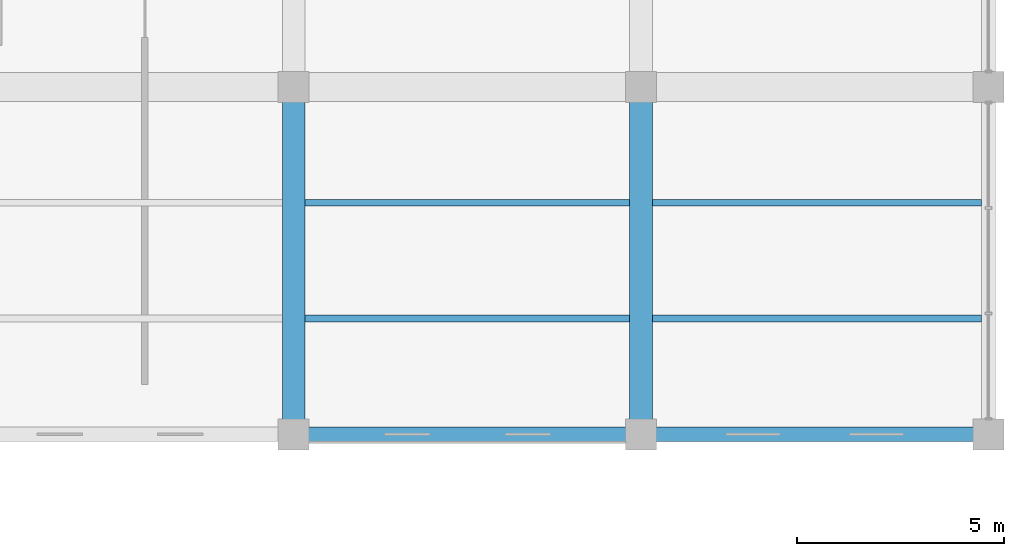
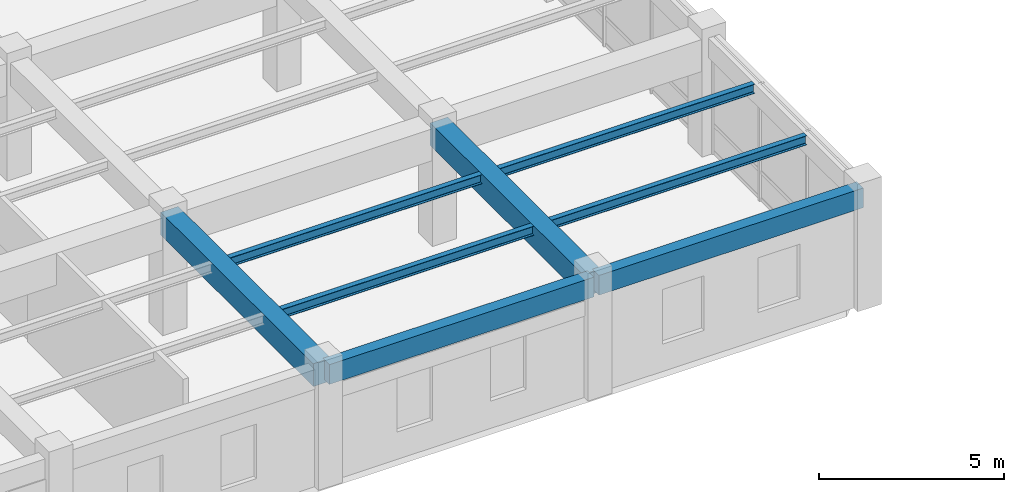
# One storey, part 92 of 152: 8 beams.
"""IFC4 building model written with IfcOpenShell, lengths in metres."""

import ifcopenshell
import ifcopenshell.guid

model = None  # the IFC model being written
_history = None  # IfcOwnerHistory: only IFC2X3 demands one
_inside = {}  # id of a spatial element -> (the spatial element, [elements in it])
_under = {}  # id of a project, library or spatial element -> (it, [spatial elements below it])
_declared = {}  # id of a project -> (the project, [libraries it declares])
_typed = {}  # id of a type object -> (the type object, [elements of that type])
_made_of = {}  # id of a material, layer set ... -> (it, [elements and type objects made of it])


def new_model(schema):
    """Start an empty IFC model of exactly this schema.

    Asked for "IFC4X3", IfcOpenShell would pick the latest addendum, in which some entities
    have other attributes; the version numbers below select the first issue.
    IFC2X3 requires an IfcOwnerHistory on every rooted entity: one is made here for all.
    """
    global model, _history
    if schema == "IFC4X3":
        model = ifcopenshell.file(schema_version=(4, 3, 0, 0))
    else:
        model = ifcopenshell.file(schema=schema)
    _inside.clear()
    _under.clear()
    _declared.clear()
    _typed.clear()
    _made_of.clear()
    _history = None
    if model.schema == "IFC2X3":
        org = make("IfcOrganization", Name="unknown")
        user = make(
            "IfcPersonAndOrganization",
            ThePerson=make("IfcPerson", FamilyName="unknown"),
            TheOrganization=org,
        )
        app = make(
            "IfcApplication",
            ApplicationDeveloper=org,
            Version="unknown",
            ApplicationFullName="unknown",
            ApplicationIdentifier="unknown",
        )
        _history = make(
            "IfcOwnerHistory",
            OwningUser=user,
            OwningApplication=app,
            ChangeAction="ADDED",
            CreationDate=0,
        )
    return model


def make(cls, **values):
    """One entity of the class cls with the attributes given. An attribute that is None is left unset."""
    return model.create_entity(
        cls, **{name: value for name, value in values.items() if value is not None}
    )


def rooted(cls, **values):
    """An entity with a GlobalId (a new one), such as an element, a storey or a relation."""
    return make(cls, GlobalId=ifcopenshell.guid.new(), OwnerHistory=_history, **values)


def si_unit(unit_type, name, prefix=None):
    """IfcSIUnit, for example si_unit("LENGTHUNIT", "METRE", prefix="MILLI")."""
    return make("IfcSIUnit", UnitType=unit_type, Prefix=prefix, Name=name)


def assignment(units):
    """IfcUnitAssignment: the units of a project."""
    return None if units is None else make("IfcUnitAssignment", Units=units)


def point(xyz):
    """IfcCartesianPoint."""
    return None if xyz is None else make("IfcCartesianPoint", Coordinates=xyz)


def direction(xyz):
    """IfcDirection."""
    return None if xyz is None else make("IfcDirection", DirectionRatios=xyz)


def frame(location, z_axis=None, x_axis=None):
    """IfcAxis2Placement3D, a coordinate frame: its origin and axes. An axis left out is left unset."""
    return make(
        "IfcAxis2Placement3D",
        Location=point(location),
        Axis=direction(z_axis),
        RefDirection=direction(x_axis),
    )


def frame_2d(location, x_axis=None):
    """IfcAxis2Placement2D, a coordinate frame in the plane: its origin and x axis."""
    return make(
        "IfcAxis2Placement2D", Location=point(location), RefDirection=direction(x_axis)
    )


def origin():
    """The frame at (0, 0, 0) with its axes left unset."""
    return frame((0.0, 0.0, 0.0))


def origin_2d():
    """The frame at (0, 0) in the plane with its x axis left unset."""
    return frame_2d((0.0, 0.0))


def place(relative_to, where):
    """IfcLocalPlacement: puts the frame where relative to a parent placement (None: the world)."""
    return make(
        "IfcLocalPlacement", PlacementRelTo=relative_to, RelativePlacement=where
    )


def context(
    kind, dimensions, precision=None, world=None, true_north=None, identifier=None
):
    """IfcGeometricRepresentationContext, for example the 3D "Model" context."""
    return make(
        "IfcGeometricRepresentationContext",
        ContextIdentifier=identifier,
        ContextType=kind,
        CoordinateSpaceDimension=dimensions,
        Precision=precision,
        WorldCoordinateSystem=world,
        TrueNorth=true_north,
    )


def subcontext(parent, identifier, kind, view, scale=None):
    """IfcGeometricRepresentationSubContext, for example "Body" below "Model"."""
    return make(
        "IfcGeometricRepresentationSubContext",
        ContextIdentifier=identifier,
        ContextType=kind,
        ParentContext=parent,
        TargetScale=scale,
        TargetView=view,
    )


def project(units=None, contexts=None):
    """IfcProject with its units and contexts."""
    return rooted(
        "IfcProject",
        Name="project",
        RepresentationContexts=contexts,
        UnitsInContext=assignment(units),
    )


def spatial(cls, under=None, at=None, **own):
    """A site, building, storey or space (cls), placed at a placement, below another one or the project."""
    s = rooted(cls, ObjectPlacement=at, **own)
    if under is not None:
        _under.setdefault(under.id(), (under, []))[1].append(s)
    return s


def profile(cls, at=None, kind="AREA", **sizes):
    """A parametric profile (cls). Its sizes go by their IFC names, for example OverallWidth=200.0."""
    return make(cls, ProfileType=kind, Position=at, **sizes)


def rectangle(**sizes):
    """IfcRectangleProfileDef."""
    return profile("IfcRectangleProfileDef", **sizes)


def i_section(**sizes):
    """IfcIShapeProfileDef."""
    return profile("IfcIShapeProfileDef", **sizes)


def extrude(swept, where, along, depth):
    """IfcExtrudedAreaSolid: the profile swept, set in the frame where, extruded along a direction by depth."""
    return make(
        "IfcExtrudedAreaSolid",
        SweptArea=swept,
        Position=where,
        ExtrudedDirection=direction(along),
        Depth=depth,
    )


def shape(context_of_items, identifier, shape_type, items):
    """IfcShapeRepresentation: the items that make up one representation, for example the "Body"."""
    return make(
        "IfcShapeRepresentation",
        ContextOfItems=context_of_items,
        RepresentationIdentifier=identifier,
        RepresentationType=shape_type,
        Items=items,
    )


def material(Name=None, Category=None):
    """IfcMaterial."""
    return make("IfcMaterial", Name=Name, Category=Category)


def material_profile(
    of_material, cross_section, Name=None, Category=None, Priority=None
):
    """IfcMaterialProfile: a cross section and its material."""
    return make(
        "IfcMaterialProfile",
        Name=Name,
        Material=of_material,
        Profile=cross_section,
        Priority=Priority,
        Category=Category,
    )


def profile_set(profiles, Name=None, composite=None):
    """IfcMaterialProfileSet."""
    return make(
        "IfcMaterialProfileSet",
        Name=Name,
        MaterialProfiles=profiles,
        CompositeProfile=composite,
    )


def made_of(thing, what):
    """Note that an element or type object is made of a material, layer set ...; save() writes the relation."""
    if what is not None:
        _made_of.setdefault(what.id(), (what, []))[1].append(thing)
    return thing


def type_object(cls, material=None, **own):
    """A type object (cls), such as IfcWallType, which elements share."""
    return made_of(rooted(cls, **own), material)


def element(
    cls,
    number,
    at=None,
    inside=None,
    cuts=None,
    type_object=None,
    material=None,
    context=None,
    identifier="Body",
    shape_type=None,
    held_by="IfcProductDefinitionShape",
    body=None,
    shapes=None,
    **own,
):
    """One element of the class cls, such as IfcWall. Its Tag is "e" and its number.

    at: its placement. inside: the storey or other place that contains it. cuts: it is an
    opening in that element (IfcRelVoidsElement). A single representation is given by context,
    identifier, shape_type and body (its items); several are given by shapes. held_by: the class
    of the entity that holds the representations. save() writes the other relations.
    """
    e = rooted(cls, Tag="e%d" % number, ObjectPlacement=at, **own)
    if body is not None:
        shapes = [shape(context, identifier, shape_type, body)]
    if shapes is not None:
        e.Representation = make(held_by, Representations=shapes)
    if inside is not None:
        _inside.setdefault(inside.id(), (inside, []))[1].append(e)
    if cuts is not None:
        rooted(
            "IfcRelVoidsElement", RelatingBuildingElement=cuts, RelatedOpeningElement=e
        )
    if type_object is not None:
        _typed.setdefault(type_object.id(), (type_object, []))[1].append(e)
    return made_of(e, material)


def aggregate(whole, parts):
    """IfcRelAggregates: a whole, such as a stair, and the parts it consists of."""
    return rooted("IfcRelAggregates", RelatingObject=whole, RelatedObjects=parts)


def save(model, path):
    """Write the relations noted so far, then the file.

    IfcRelAggregates (storeys below a building ...), IfcRelContainedInSpatialStructure (elements
    in a storey), IfcRelDefinesByType, IfcRelAssociatesMaterial and IfcRelDeclares: one each for
    every whole, place, type object, material and project.
    """
    for whole, parts in _under.values():
        aggregate(whole, parts)
    for where, things in _inside.values():
        rooted(
            "IfcRelContainedInSpatialStructure",
            RelatedElements=things,
            RelatingStructure=where,
        )
    for kind, things in _typed.values():
        rooted("IfcRelDefinesByType", RelatedObjects=things, RelatingType=kind)
    for what, things in _made_of.values():
        rooted("IfcRelAssociatesMaterial", RelatedObjects=things, RelatingMaterial=what)
    for by, libraries in _declared.values():
        rooted("IfcRelDeclares", RelatingContext=by, RelatedDefinitions=libraries)
    model.write(path)


model = new_model("IFC4")

# Units and contexts
model_context = context("Model", 3, precision=1e-05, world=origin(), true_north=direction((0.0, 1.0)))
body_context = subcontext(model_context, "Body", "Model", "MODEL_VIEW")
ifc_project = project(units=[si_unit("LENGTHUNIT", "METRE"), si_unit("AREAUNIT", "SQUARE_METRE"), si_unit("VOLUMEUNIT", "CUBIC_METRE"), si_unit("PLANEANGLEUNIT", "RADIAN"), si_unit("MASSUNIT", "GRAM", prefix="KILO"), si_unit("THERMODYNAMICTEMPERATUREUNIT", "KELVIN"), si_unit("POWERUNIT", "WATT")], contexts=[model_context])

# Site, building, storey
site_placement = place(None, origin())
site = spatial("IfcSite", under=ifc_project, at=site_placement, CompositionType="ELEMENT")
building_placement = place(site_placement, origin())
building = spatial("IfcBuilding", under=site, at=building_placement, Name="Darbajah Civic Hall", CompositionType="ELEMENT")
storey_placement = place(building_placement, frame((0.0, 0.0, 5.39990234375)))
storey = spatial("IfcBuildingStorey", under=building, at=storey_placement, Name="L01", CompositionType="ELEMENT", Elevation=5.39990234375)

# Beams
ifc_material_1 = material(Name="Concrete C45/55", Category="concrete")
ifc_material_profile_1 = material_profile(ifc_material_1, rectangle(XDim=0.550048828125, YDim=0.75, at=origin_2d()), Name="RC BEAM 550x750")
ifc_profile_set_1 = profile_set([ifc_material_profile_1], Name="Concrete C45/55")
beam_type_1 = type_object("IfcBeamType", Name="RC BEAM 550x750", PredefinedType="BEAM", material=ifc_profile_set_1)
for number, where, z_axis, x_axis, name in (
    (1, (161.39990234375, 56.47998046875, 3.485107421875), (0.0, 1.0, 0.0), (-1.0, 0.0, 0.0), "L01 beam BM-5575"),
    (2, (169.800048828125, 56.47998046875, 3.485107421875), (0.0, 1.0, 0.0), (-1.0, 0.0, 0.0), "L01 beam BM-5575"),
):
    element("IfcBeam", number, at=place(storey_placement, frame(where, z_axis=z_axis, x_axis=x_axis)), inside=storey, type_object=beam_type_1, Name=name, PredefinedType="BEAM", context=body_context, shape_type="SweptSolid", body=[
        extrude(rectangle(XDim=0.550048828125, YDim=0.75, at=origin_2d()), origin(), (0.0, 0.0, 1.0), 8.239990234375),
    ])
ifc_material_profile_2 = material_profile(ifc_material_1, rectangle(XDim=0.35009765625, YDim=0.64990234375, at=origin_2d()), Name="RC SPANDREL 350x650")
ifc_profile_set_2 = profile_set([ifc_material_profile_2], Name="Concrete C45/55")
beam_type_2 = type_object("IfcBeamType", Name="RC SPANDREL 350x650", PredefinedType="SPANDREL", material=ifc_profile_set_2)
beam_1_placement = place(storey_placement, frame((161.47998046875, 56.39990234375, 3.53515625), z_axis=(1.0, 0.0, 0.0), x_axis=(0.0, 1.0, 0.0)))
element("IfcBeam", 3, at=beam_1_placement, inside=storey, type_object=beam_type_2, Name="L01 beam SP-3565", PredefinedType="SPANDREL", context=body_context, shape_type="SweptSolid", body=[
    extrude(rectangle(XDim=0.35009765625, YDim=0.64990234375, at=origin_2d()), origin(), (0.0, 0.0, 1.0), 8.239990234375),
])
beam_2_placement = place(storey_placement, frame((169.8798828125, 56.39990234375, 3.53515625), z_axis=(1.0, 0.0, 0.0), x_axis=(0.0, 1.0, 0.0)))
element("IfcBeam", 4, at=beam_2_placement, inside=storey, type_object=beam_type_2, Name="L01 beam SP-3565", PredefinedType="SPANDREL", context=body_context, shape_type="SweptSolid", body=[
    extrude(rectangle(XDim=0.35009765625, YDim=0.64990234375, at=origin_2d()), origin(), (0.0, 0.0, 1.0), 8.240234375),
])
ifc_material_2 = material(Name="Steel S355JR", Category="steel")
ifc_material_profile_3 = material_profile(ifc_material_2, i_section(OverallWidth=0.165771484375, OverallDepth=0.306640625, WebThickness=0.006591796875, FlangeThickness=0.01171875, FilletRadius=0.0087890625, at=origin_2d()), Name="UB 305x165x46")
ifc_profile_set_3 = profile_set([ifc_material_profile_3], Name="Steel S355JR")
beam_type_3 = type_object("IfcBeamType", Name="UB 305x165x46", PredefinedType="JOIST", material=ifc_profile_set_3)
for number, where, z_axis, x_axis, name in (
    (5, (161.675048828125, 59.199951171875, 3.706787109375), (1.0, 0.0, 0.0), (0.0, 1.0, 0.0), "L01 beam SJ-305"),
    (6, (161.675048828125, 62.0, 3.706787109375), (1.0, 0.0, 0.0), (0.0, 1.0, 0.0), "L01 beam SJ-305"),
):
    element("IfcBeam", number, at=place(storey_placement, frame(where, z_axis=z_axis, x_axis=x_axis)), inside=storey, type_object=beam_type_3, Name=name, PredefinedType="JOIST", context=body_context, shape_type="SweptSolid", body=[
        extrude(i_section(OverallWidth=0.165771484375, OverallDepth=0.306640625, WebThickness=0.006591796875, FlangeThickness=0.01171875, FilletRadius=0.0087890625, at=origin_2d()), origin(), (0.0, 0.0, 1.0), 7.849853515625),
    ])
for number, where, z_axis, x_axis, name in (
    (7, (170.074951171875, 59.199951171875, 3.706787109375), (1.0, 0.0, 0.0), (0.0, 1.0, 0.0), "L01 beam SJ-305"),
    (8, (170.074951171875, 62.0, 3.706787109375), (1.0, 0.0, 0.0), (0.0, 1.0, 0.0), "L01 beam SJ-305"),
):
    element("IfcBeam", number, at=place(storey_placement, frame(where, z_axis=z_axis, x_axis=x_axis)), inside=storey, type_object=beam_type_3, Name=name, PredefinedType="JOIST", context=body_context, shape_type="SweptSolid", body=[
        extrude(i_section(OverallWidth=0.165771484375, OverallDepth=0.306640625, WebThickness=0.006591796875, FlangeThickness=0.01171875, FilletRadius=0.0087890625, at=origin_2d()), origin(), (0.0, 0.0, 1.0), 7.949951171875),
    ])

save(model, "model.ifc")
